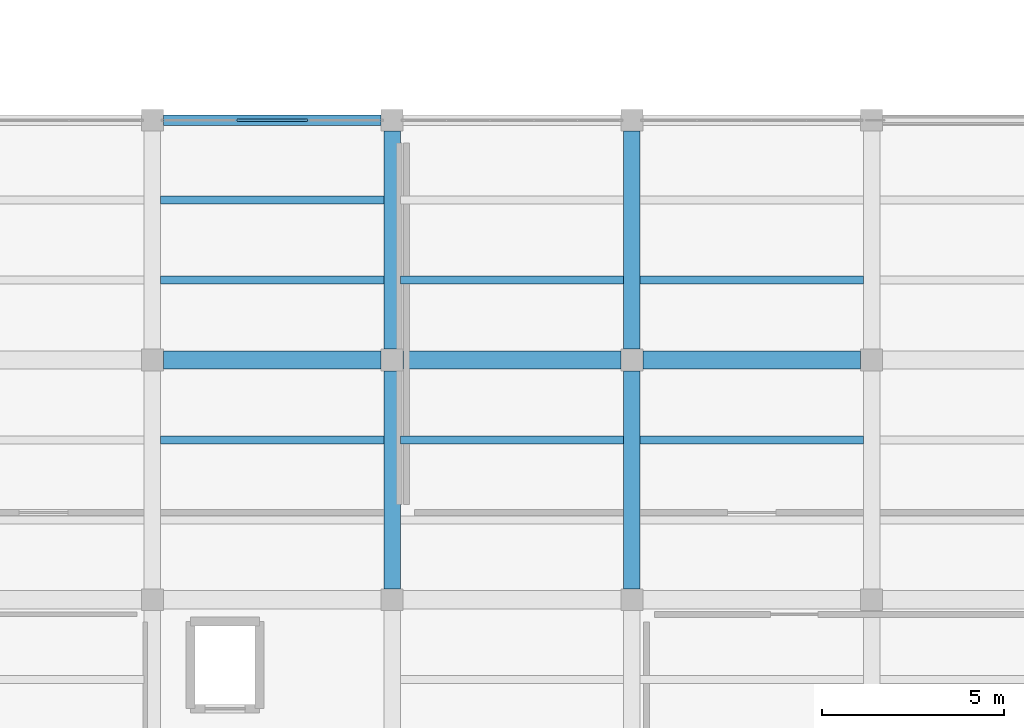
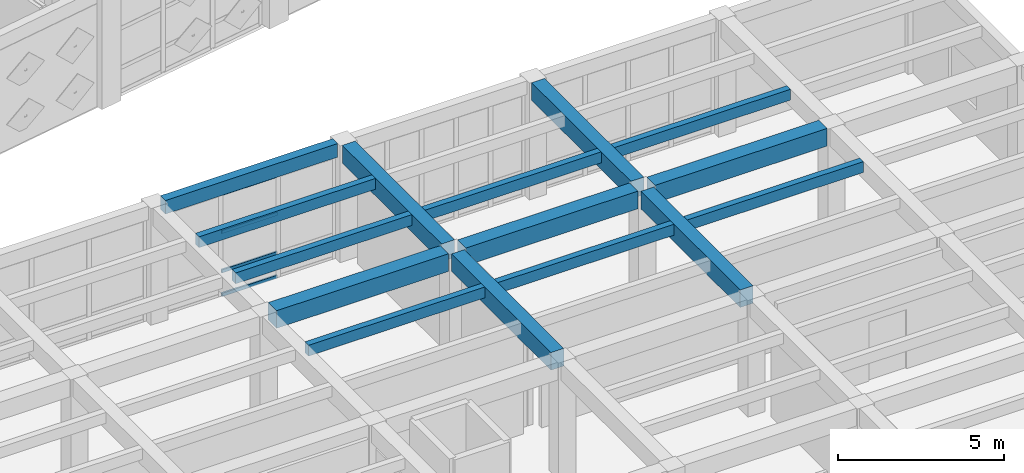
# One storey, part 12 of 80: 15 beams, 4 members, 1 element without a shape of its own.
"""IFC4 building model written with IfcOpenShell, lengths in metres."""

from ifc_helpers import new_model, si_unit, direction, frame, origin, origin_2d, place, context, subcontext, project, spatial, rectangle, hollow_rectangle, extrude, material, layer, layer_set, material_profile, profile_set, type_object, element, aggregate, save


model = new_model("IFC4")

# Units and contexts
model_context = context("Model", 3, precision=1e-05, world=origin(), true_north=direction((0.0, 1.0)))
body_context = subcontext(model_context, "Body", "Model", "MODEL_VIEW")
ifc_project = project(units=[si_unit("LENGTHUNIT", "METRE"), si_unit("AREAUNIT", "SQUARE_METRE"), si_unit("VOLUMEUNIT", "CUBIC_METRE"), si_unit("PLANEANGLEUNIT", "RADIAN"), si_unit("MASSUNIT", "GRAM", prefix="KILO")], contexts=[model_context])

# Site, building, storey
site_placement = place(None, origin())
site = spatial("IfcSite", under=ifc_project, at=site_placement, CompositionType="ELEMENT")
building_placement = place(site_placement, origin())
building = spatial("IfcBuilding", under=site, at=building_placement, Name="Kharisveld Research Institute", CompositionType="ELEMENT")
storey_placement = place(building_placement, frame((0.0, 0.0, 5.10009765625)))
storey = spatial("IfcBuildingStorey", under=building, at=storey_placement, Name="L01", CompositionType="ELEMENT", Elevation=5.10009765625)

# Beams
ifc_material_1 = material(Name="Concrete C40/50", Category="concrete")
ifc_material_profile_1 = material_profile(ifc_material_1, rectangle(XDim=0.449951171875, YDim=0.64990234375, at=origin_2d()))
ifc_profile_set_1 = profile_set([ifc_material_profile_1], Name="Concrete C40/50")
beam_type_1 = type_object("IfcBeamType", Name="BM_RC_450x650", PredefinedType="BEAM", material=ifc_profile_set_1)
for number, where, z_axis, x_axis, name in (
    (1, (20.39990234375, 13.699951171875, 3.974853515625), (0.0, 1.0, 0.0), (-1.0, 0.0, 0.0), "BM:V3:L01:V3_2"),
    (2, (20.39990234375, 20.300048828125, 3.974853515625), (0.0, 1.0, 0.0), (-1.0, 0.0, 0.0), "BM:V3:L01:V3_3"),
    (3, (27.0, 13.699951171875, 3.974853515625), (0.0, 1.0, 0.0), (-1.0, 0.0, 0.0), "BM:V3:L01:V4_2"),
    (4, (27.0, 20.300048828125, 3.974853515625), (0.0, 1.0, 0.0), (-1.0, 0.0, 0.0), "BM:V3:L01:V4_3"),
):
    element("IfcBeam", number, at=place(storey_placement, frame(where, z_axis=z_axis, x_axis=x_axis)), inside=storey, type_object=beam_type_1, Name=name, PredefinedType="BEAM", context=body_context, shape_type="SweptSolid", body=[
        extrude(rectangle(XDim=0.449951171875, YDim=0.64990234375, at=origin_2d()), origin(), (0.0, 0.0, 1.0), 6.0),
    ])
ifc_material_2 = material(Name="Concrete C40/50", Category="concrete")
ifc_material_profile_2 = material_profile(ifc_material_2, rectangle(XDim=0.5, YDim=0.64990234375, at=origin_2d()))
ifc_profile_set_2 = profile_set([ifc_material_profile_2], Name="Concrete C40/50")
beam_type_2 = type_object("IfcBeamType", Name="BM_RC_500x650", PredefinedType="BEAM", material=ifc_profile_set_2)
for number, where, z_axis, x_axis, name in (
    (5, (14.10009765625, 20.0, 3.974853515625), (1.0, 0.0, 0.0), (0.0, 1.0, 0.0), "BM:V3:L01:U2_3"),
    (6, (20.699951171875, 20.0, 3.974853515625), (1.0, 0.0, 0.0), (0.0, 1.0, 0.0), "BM:V3:L01:U3_3"),
    (7, (27.300048828125, 20.0, 3.974853515625), (1.0, 0.0, 0.0), (0.0, 1.0, 0.0), "BM:V3:L01:U4_3"),
):
    element("IfcBeam", number, at=place(storey_placement, frame(where, z_axis=z_axis, x_axis=x_axis)), inside=storey, type_object=beam_type_2, Name=name, PredefinedType="BEAM", context=body_context, shape_type="SweptSolid", body=[
        extrude(rectangle(XDim=0.5, YDim=0.64990234375, at=origin_2d()), origin(), (0.0, 0.0, 1.0), 6.0),
    ])

# Curtain wall, members
ifc_material_3 = material(Name="Thermally Broken Aluminium Curtain Wall", Category="aluminium")
ifc_layer = layer(ifc_material_3, 0.159912109375)
ifc_layer_set = layer_set([ifc_layer], Name="CW_SYS_06")
curtain_wall_type = type_object("IfcCurtainWallType", Name="CW_SYS_06", PredefinedType="NOTDEFINED", material=ifc_layer_set)
curtain_wall_placement = place(storey_placement, origin())
curtain_wall = element("IfcCurtainWall", 8, at=curtain_wall_placement, inside=storey, type_object=curtain_wall_type, Name="CW:V3:L01:N2", PredefinedType="NOTDEFINED")
ifc_material_4 = material(Name="Anodised Aluminium AW-6063-T6", Category="aluminium")
ifc_material_profile_3 = material_profile(ifc_material_4, hollow_rectangle(XDim=0.06005859375, YDim=0.1201171875, WallThickness=0.00390625, at=origin_2d()))
ifc_profile_set_3 = profile_set([ifc_material_profile_3], Name="Anodised Aluminium AW-6063-T6")
member_type = type_object("IfcMemberType", Name="CW_TRN_120", PredefinedType="USERDEFINED", material=ifc_profile_set_3)
member_1_placement = place(storey_placement, frame((16.130859375, 26.60009765625, 0.02978515625), z_axis=(1.0, 0.0, 0.0), x_axis=(0.0, 1.0, 0.0)))
member_1 = element("IfcMember", 9, at=member_1_placement, type_object=member_type, Name="CW-06 transom 2.1", ObjectType="TRANSOM", PredefinedType="USERDEFINED", context=body_context, shape_type="SweptSolid", body=[
    extrude(hollow_rectangle(XDim=0.06005859375, YDim=0.1201171875, WallThickness=0.00390625, at=origin_2d()), origin(), (0.0, 0.0, 1.0), 1.938232421875),
])
member_2_placement = place(storey_placement, frame((16.130859375, 26.60009765625, 0.89990234375), z_axis=(1.0, 0.0, 0.0), x_axis=(0.0, 1.0, 0.0)))
member_2 = element("IfcMember", 10, at=member_2_placement, type_object=member_type, Name="CW-06 transom 2.2", ObjectType="TRANSOM", PredefinedType="USERDEFINED", context=body_context, shape_type="SweptSolid", body=[
    extrude(hollow_rectangle(XDim=0.06005859375, YDim=0.1201171875, WallThickness=0.00390625, at=origin_2d()), origin(), (0.0, 0.0, 1.0), 1.938232421875),
])
member_3_placement = place(storey_placement, frame((16.130859375, 26.60009765625, 2.349853515625), z_axis=(1.0, 0.0, 0.0), x_axis=(0.0, 1.0, 0.0)))
member_3 = element("IfcMember", 11, at=member_3_placement, type_object=member_type, Name="CW-06 transom 2.3", ObjectType="TRANSOM", PredefinedType="USERDEFINED", context=body_context, shape_type="SweptSolid", body=[
    extrude(hollow_rectangle(XDim=0.06005859375, YDim=0.1201171875, WallThickness=0.00390625, at=origin_2d()), origin(), (0.0, 0.0, 1.0), 1.938232421875),
])
member_4_placement = place(storey_placement, frame((16.130859375, 26.60009765625, 3.75), z_axis=(1.0, 0.0, 0.0), x_axis=(0.0, 1.0, 0.0)))
member_4 = element("IfcMember", 12, at=member_4_placement, type_object=member_type, Name="CW-06 transom 2.4", ObjectType="TRANSOM", PredefinedType="USERDEFINED", context=body_context, shape_type="SweptSolid", body=[
    extrude(hollow_rectangle(XDim=0.06005859375, YDim=0.1201171875, WallThickness=0.00390625, at=origin_2d()), origin(), (0.0, 0.0, 1.0), 1.938232421875),
])
aggregate(curtain_wall, [member_1, member_2, member_3, member_4])

# Beams
ifc_material_5 = material(Name="Concrete C40/50", Category="concrete")
ifc_material_profile_4 = material_profile(ifc_material_5, rectangle(XDim=0.300048828125, YDim=0.5, at=origin_2d()))
ifc_profile_set_4 = profile_set([ifc_material_profile_4], Name="Concrete C40/50")
beam_type_3 = type_object("IfcBeamType", Name="SP_RC_300x500", PredefinedType="SPANDREL", material=ifc_profile_set_4)
beam_placement = place(storey_placement, frame((14.10009765625, 26.60009765625, 4.0498046875), z_axis=(1.0, 0.0, 0.0), x_axis=(0.0, 1.0, 0.0)))
element("IfcBeam", 13, at=beam_placement, inside=storey, type_object=beam_type_3, Name="BM:V3:L01:U2_4", PredefinedType="SPANDREL", context=body_context, shape_type="SweptSolid", body=[
    extrude(rectangle(XDim=0.300048828125, YDim=0.5, at=origin_2d()), origin(), (0.0, 0.0, 1.0), 6.0),
])
ifc_material_6 = material(Name="Concrete C40/50", Category="concrete")
ifc_material_profile_5 = material_profile(ifc_material_6, rectangle(XDim=0.219970703125, YDim=0.39990234375, at=origin_2d()))
ifc_profile_set_5 = profile_set([ifc_material_profile_5], Name="Concrete C40/50")
beam_type_4 = type_object("IfcBeamType", Name="WB_RC_220x400", PredefinedType="JOIST", material=ifc_profile_set_5)
for number, where, z_axis, x_axis, name in (
    (14, (14.02490234375, 17.800048828125, 4.099853515625), (1.0, 0.0, 0.0), (0.0, 1.0, 0.0), "BM:V3:L01:J_2_2_R2"),
    (15, (14.02490234375, 22.199951171875, 4.099853515625), (1.0, 0.0, 0.0), (0.0, 1.0, 0.0), "BM:V3:L01:J_2_3_R1"),
    (16, (14.02490234375, 24.39990234375, 4.099853515625), (1.0, 0.0, 0.0), (0.0, 1.0, 0.0), "BM:V3:L01:J_2_3_R2"),
):
    element("IfcBeam", number, at=place(storey_placement, frame(where, z_axis=z_axis, x_axis=x_axis)), inside=storey, type_object=beam_type_4, Name=name, PredefinedType="JOIST", context=body_context, shape_type="SweptSolid", body=[
        extrude(rectangle(XDim=0.219970703125, YDim=0.39990234375, at=origin_2d()), origin(), (0.0, 0.0, 1.0), 6.150146484375),
    ])
for number, where, z_axis, x_axis, name in (
    (17, (20.625, 17.800048828125, 4.099853515625), (1.0, 0.0, 0.0), (0.0, 1.0, 0.0), "BM:V3:L01:J_3_2_R2"),
    (18, (20.625, 22.199951171875, 4.099853515625), (1.0, 0.0, 0.0), (0.0, 1.0, 0.0), "BM:V3:L01:J_3_3_R1"),
    (19, (27.22509765625, 17.800048828125, 4.099853515625), (1.0, 0.0, 0.0), (0.0, 1.0, 0.0), "BM:V3:L01:J_4_2_R2"),
    (20, (27.22509765625, 22.199951171875, 4.099853515625), (1.0, 0.0, 0.0), (0.0, 1.0, 0.0), "BM:V3:L01:J_4_3_R1"),
):
    element("IfcBeam", number, at=place(storey_placement, frame(where, z_axis=z_axis, x_axis=x_axis)), inside=storey, type_object=beam_type_4, Name=name, PredefinedType="JOIST", context=body_context, shape_type="SweptSolid", body=[
        extrude(rectangle(XDim=0.219970703125, YDim=0.39990234375, at=origin_2d()), origin(), (0.0, 0.0, 1.0), 6.14990234375),
    ])

save(model, "model.ifc")
